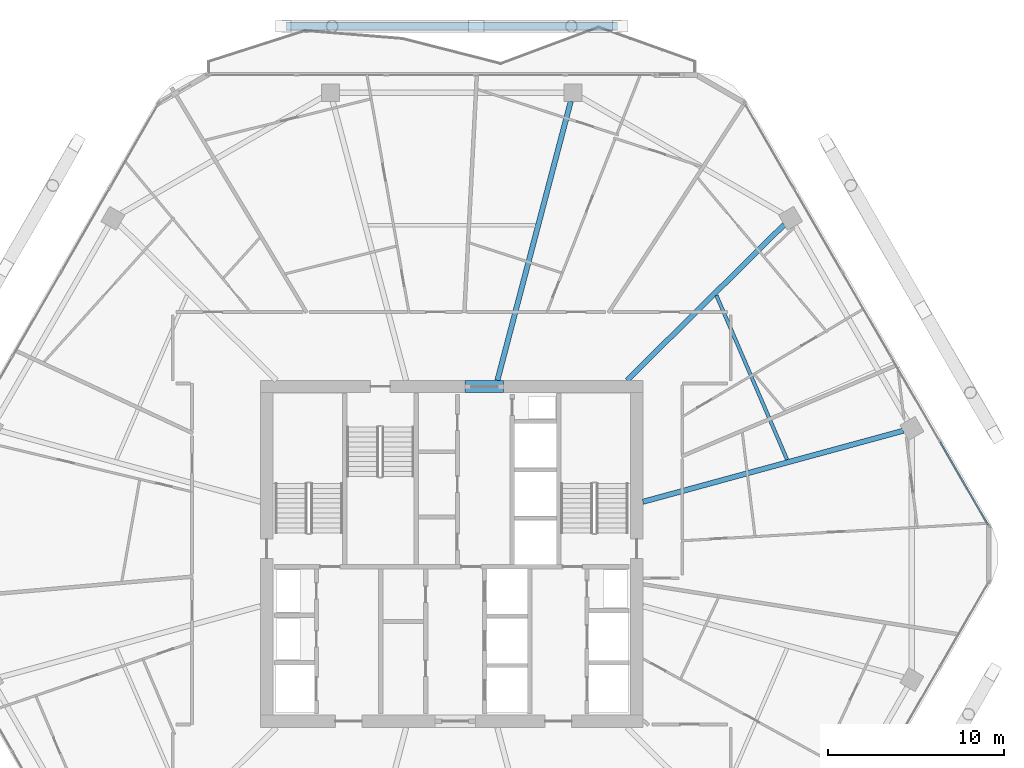
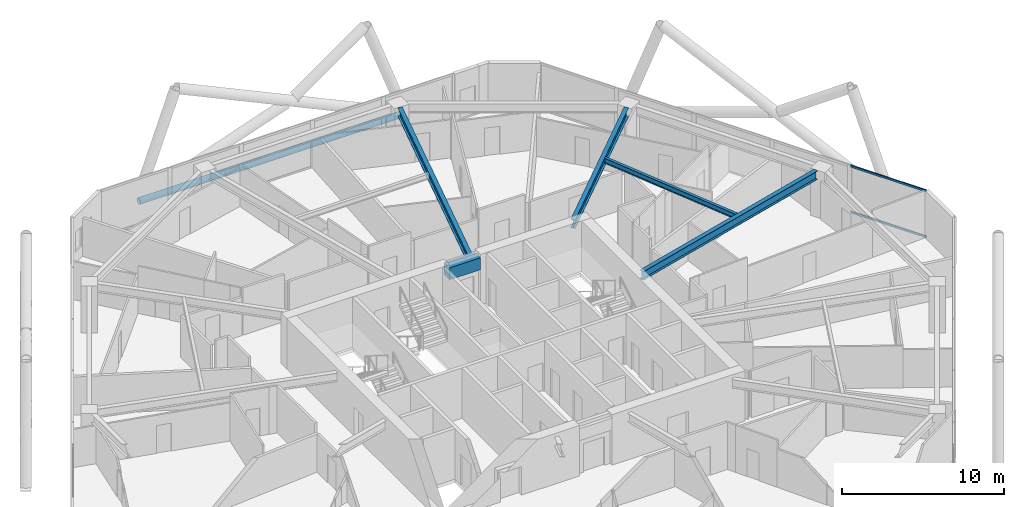
# One storey, part 15 of 29: 5 beams, 3 members, 1 element without a shape of its own.
"""IFC4 building model written with IfcOpenShell, lengths in metres."""

from ifc_helpers import new_model, si_unit, direction, frame, origin, origin_2d, place, context, subcontext, project, spatial, rectangle, hollow_rectangle, hollow_circle, i_section, extrude, material, material_profile, profile_set, type_object, element, aggregate, save


model = new_model("IFC4")

# Units and contexts
model_context = context("Model", 3, precision=1e-05, world=origin(), true_north=direction((0.0, 1.0)))
body_context = subcontext(model_context, "Body", "Model", "MODEL_VIEW")
ifc_project = project(units=[si_unit("LENGTHUNIT", "METRE"), si_unit("AREAUNIT", "SQUARE_METRE"), si_unit("VOLUMEUNIT", "CUBIC_METRE"), si_unit("PLANEANGLEUNIT", "RADIAN"), si_unit("MASSUNIT", "GRAM", prefix="KILO")], contexts=[model_context])

# Site, building, storey
site_placement = place(None, origin())
site = spatial("IfcSite", under=ifc_project, at=site_placement, CompositionType="ELEMENT")
building_placement = place(site_placement, origin())
building = spatial("IfcBuilding", under=site, at=building_placement, Name="Zuhravey Tower", CompositionType="ELEMENT")
storey_placement = place(building_placement, frame((0.0, 0.0, 161.800048828125)))
storey = spatial("IfcBuildingStorey", under=building, at=storey_placement, Name="L40", CompositionType="ELEMENT", Elevation=161.800048828125)

# Beam
ifc_material_1 = material(Name="Concrete C60/75", Category="concrete")
ifc_material_profile_1 = material_profile(ifc_material_1, rectangle(XDim=0.699951171875, YDim=0.89990234375, at=origin_2d()), Name="RC-700x900")
ifc_profile_set_1 = profile_set([ifc_material_profile_1], Name="Concrete C60/75")
beam_type_1 = type_object("IfcBeamType", Name="Core Coupling Beam RC700x900", PredefinedType="LINTEL", material=ifc_profile_set_1)
beam_1_placement = place(storey_placement, frame((36.751953125, 41.5, 3.099853515625), z_axis=(1.0, 0.0, 0.0), x_axis=(0.0, 1.0, 0.0)))
element("IfcBeam", 1, at=beam_1_placement, inside=storey, type_object=beam_type_1, Name="L40 CB1 BM-L40-CB-N", PredefinedType="LINTEL", context=body_context, shape_type="SweptSolid", body=[
    extrude(rectangle(XDim=0.699951171875, YDim=0.89990234375, at=origin_2d()), origin(), (0.0, 0.0, 1.0), 2.196044921875),
])

# Curtain wall, members
ifc_material_2 = material(Name="Thermally broken anodised aluminium", Category="aluminium")
curtain_wall_type = type_object("IfcCurtainWallType", Name="Zone 1-2 Residential Curtain Wall CW3", PredefinedType="NOTDEFINED", material=ifc_material_2)
curtain_wall_placement = place(storey_placement, origin())
curtain_wall = element("IfcCurtainWall", 2, at=curtain_wall_placement, inside=storey, type_object=curtain_wall_type, Name="L40 CW3 CW-L40-F1-1", PredefinedType="NOTDEFINED")
ifc_material_3 = material(Name="Anodised aluminium", Category="aluminium")
ifc_material_profile_2 = material_profile(ifc_material_3, hollow_rectangle(XDim=0.090087890625, YDim=0.14990234375, WallThickness=0.0048828125, at=origin_2d()), Name="ALU-RHS-90x150x5")
ifc_profile_set_2 = profile_set([ifc_material_profile_2], Name="Anodised aluminium")
member_type_1 = type_object("IfcMemberType", Name="Curtain-Wall Transom 90x150", PredefinedType="USERDEFINED", material=ifc_profile_set_2)
member_1_placement = place(storey_placement, frame((63.72216796875, 38.35009765625, 0.044921875), z_axis=(0.499993332629, -0.866029253159, 0.0), x_axis=(0.866029253159, 0.499993332629, 0.0)))
member_1 = element("IfcMember", 3, at=member_1_placement, type_object=member_type_1, Name="CW3 transom 5.1", ObjectType="TRANSOM", PredefinedType="USERDEFINED", context=body_context, shape_type="SweptSolid", body=[
    extrude(hollow_rectangle(XDim=0.090087890625, YDim=0.14990234375, WallThickness=0.0048828125, at=origin_2d()), origin(), (0.0, 0.0, 1.0), 5.4091796875),
])
member_2_placement = place(storey_placement, frame((63.72216796875, 38.35009765625, 3.5048828125), z_axis=(0.499993332629, -0.866029253159, 0.0), x_axis=(0.866029253159, 0.499993332629, 0.0)))
member_2 = element("IfcMember", 4, at=member_2_placement, type_object=member_type_1, Name="CW3 transom 5.2", ObjectType="TRANSOM", PredefinedType="USERDEFINED", context=body_context, shape_type="SweptSolid", body=[
    extrude(hollow_rectangle(XDim=0.090087890625, YDim=0.14990234375, WallThickness=0.0048828125, at=origin_2d()), origin(), (0.0, 0.0, 1.0), 5.4091796875),
])
aggregate(curtain_wall, [member_1, member_2])

# Member
ifc_material_4 = material(Name="Steel SM355", Category="steel")
ifc_material_profile_3 = material_profile(ifc_material_4, hollow_circle(Radius=0.228515625, WallThickness=0.02197265625, at=origin_2d()), Name="CHS-457.2x22")
ifc_profile_set_3 = profile_set([ifc_material_profile_3], Name="Steel SM355")
member_type_2 = type_object("IfcMemberType", Name="Exoskeleton Ring Tie CHS457x22", PredefinedType="CHORD", material=ifc_profile_set_3)
member_3_placement = place(storey_placement, frame((45.4150390625, 61.943115234375, -0.464111328125), z_axis=(-1.0, 0.0, 0.0), x_axis=(0.0, -1.0, 0.0)))
element("IfcMember", 5, at=member_3_placement, inside=storey, type_object=member_type_2, Name="L40 Exoskeleton Face 2 Tie EXR1", PredefinedType="CHORD", context=body_context, shape_type="SweptSolid", body=[
    extrude(hollow_circle(Radius=0.228515625, WallThickness=0.02197265625, at=origin_2d()), origin(), (0.0, 0.0, 1.0), 18.830078125),
])

# Beams
ifc_material_profile_4 = material_profile(ifc_material_4, i_section(OverallWidth=0.300048828125, OverallDepth=0.64990234375, WebThickness=0.012939453125, FlangeThickness=0.02197265625, at=origin_2d()), Name="H-650x300x13x22")
ifc_profile_set_4 = profile_set([ifc_material_profile_4], Name="Steel SM355")
beam_type_2 = type_object("IfcBeamType", Name="Radial Primary Girder H650x300", PredefinedType="BEAM", material=ifc_profile_set_4)
beam_2_placement = place(storey_placement, frame((46.85302734375, 34.96240234375, 3.224853515625), z_axis=(0.964701601771, 0.263345437667, 0.0), x_axis=(-0.263345437667, 0.964701601771, 0.0)))
element("IfcBeam", 6, at=beam_2_placement, inside=storey, type_object=beam_type_2, Name="L40 RG2 BM-L40-RAD-01", PredefinedType="BEAM", context=body_context, shape_type="SweptSolid", body=[
    extrude(i_section(OverallWidth=0.300048828125, OverallDepth=0.64990234375, WebThickness=0.012939453125, FlangeThickness=0.02197265625, at=origin_2d()), origin(), (0.0, 0.0, 1.0), 15.309814453125),
])
beam_3_placement = place(storey_placement, frame((45.945556640625, 41.85302734375, 3.224853515625), z_axis=(0.71040353357, 0.703794586148, 0.0), x_axis=(-0.703794586148, 0.71040353357, 0.0)))
element("IfcBeam", 7, at=beam_3_placement, inside=storey, type_object=beam_type_2, Name="L40 RG2 BM-L40-RAD-02", PredefinedType="BEAM", context=body_context, shape_type="SweptSolid", body=[
    extrude(i_section(OverallWidth=0.300048828125, OverallDepth=0.64990234375, WebThickness=0.012939453125, FlangeThickness=0.02197265625, at=origin_2d()), origin(), (0.0, 0.0, 1.0), 12.559814453125),
])
beam_4_placement = place(storey_placement, frame((38.5908203125, 41.85302734375, 3.224853515625), z_axis=(0.254300244998, 0.967125320418, 0.0), x_axis=(-0.967125320418, 0.254300244998, 0.0)))
element("IfcBeam", 8, at=beam_4_placement, inside=storey, type_object=beam_type_2, Name="L40 RG2 BM-L40-RAD-03", PredefinedType="BEAM", context=body_context, shape_type="SweptSolid", body=[
    extrude(i_section(OverallWidth=0.300048828125, OverallDepth=0.64990234375, WebThickness=0.012939453125, FlangeThickness=0.02197265625, at=origin_2d()), origin(), (0.0, 0.0, 1.0), 16.371826171875),
])
ifc_material_profile_5 = material_profile(ifc_material_4, i_section(OverallWidth=0.199951171875, OverallDepth=0.39990234375, WebThickness=0.008056640625, FlangeThickness=0.012939453125, at=origin_2d()), Name="H-400x200x8x13")
ifc_profile_set_5 = profile_set([ifc_material_profile_5], Name="Steel SM355")
beam_type_3 = type_object("IfcBeamType", Name="Secondary Floor Joist H400x200", PredefinedType="JOIST", material=ifc_profile_set_5)
beam_5_placement = place(storey_placement, frame((55.029541015625, 37.3525390625, 3.349853515625), z_axis=(-0.395265853487, 0.918566766799, 0.0), x_axis=(-0.918566766799, -0.395265853487, 0.0)))
element("IfcBeam", 9, at=beam_5_placement, inside=storey, type_object=beam_type_3, Name="L40 SJ2 BM-L40-SJ-01-1", PredefinedType="JOIST", context=body_context, shape_type="SweptSolid", body=[
    extrude(i_section(OverallWidth=0.199951171875, OverallDepth=0.39990234375, WebThickness=0.008056640625, FlangeThickness=0.012939453125, at=origin_2d()), origin(), (0.0, 0.0, 1.0), 10.150146484375),
])

save(model, "model.ifc")
